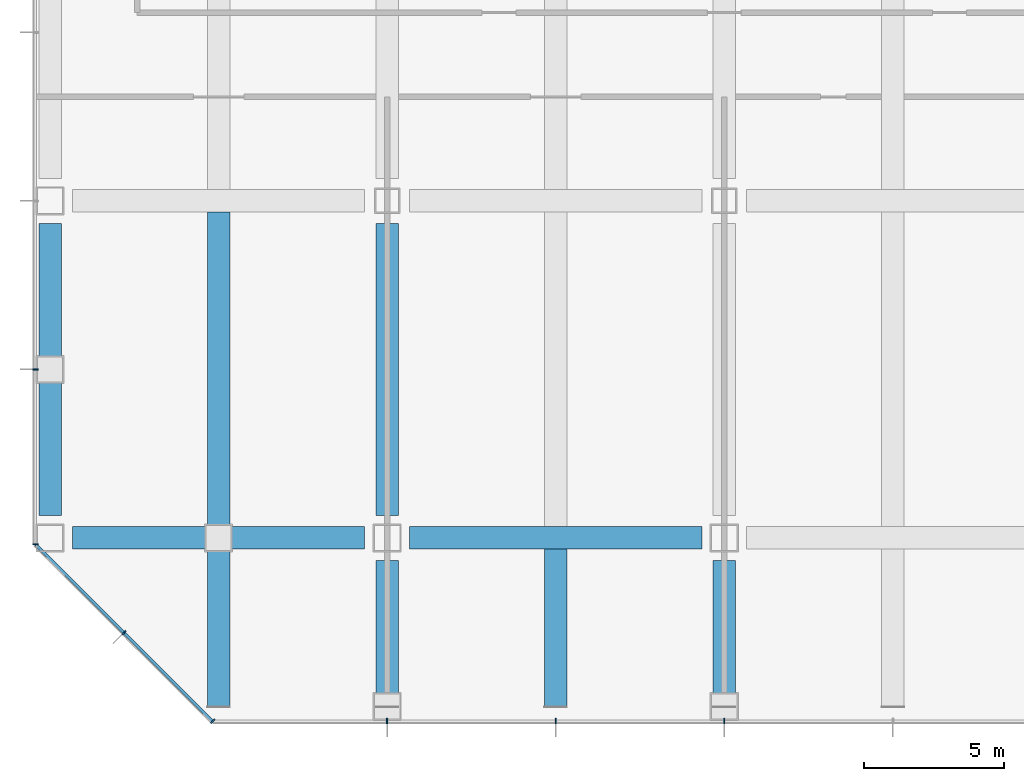
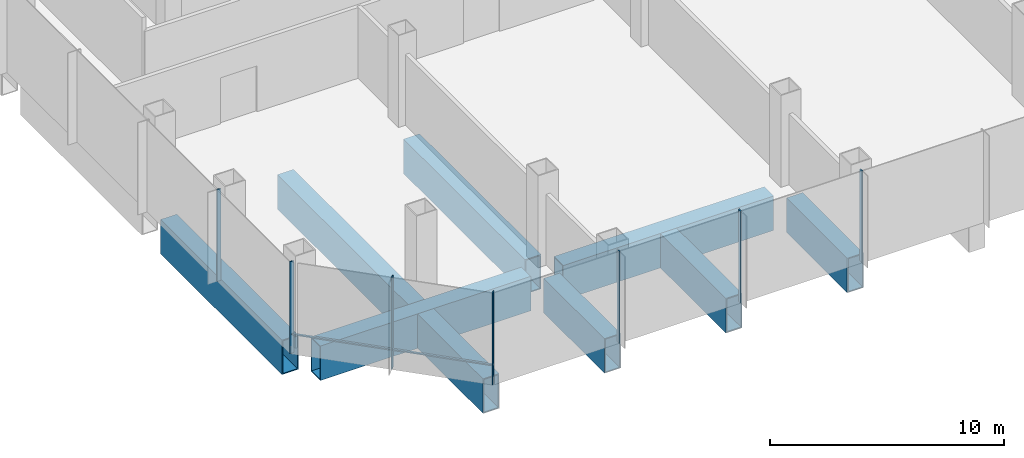
# One storey, part 2 of 34: 9 beams, 8 members, 3 elements without a shape of their own.
"""IFC4 building model written with IfcOpenShell, lengths in metres."""

from ifc_helpers import new_model, si_unit, direction, frame, origin, origin_2d, place, context, subcontext, project, spatial, rectangle, hollow_rectangle, extrude, material, material_profile, profile_set, type_object, element, aggregate, save


model = new_model("IFC4")

# Units and contexts
model_context = context("Model", 3, precision=1e-05, world=origin(), true_north=direction((0.0, 1.0)))
body_context = subcontext(model_context, "Body", "Model", "MODEL_VIEW")
ifc_project = project(units=[si_unit("LENGTHUNIT", "METRE"), si_unit("AREAUNIT", "SQUARE_METRE"), si_unit("VOLUMEUNIT", "CUBIC_METRE"), si_unit("PLANEANGLEUNIT", "RADIAN"), si_unit("MASSUNIT", "GRAM", prefix="KILO")], contexts=[model_context])

# Site, building, storey
site_placement = place(None, origin())
site = spatial("IfcSite", under=ifc_project, at=site_placement, CompositionType="ELEMENT")
building_placement = place(site_placement, origin())
building = spatial("IfcBuilding", under=site, at=building_placement, Name="Sorahane Residences", CompositionType="ELEMENT")
storey_placement = place(building_placement, frame((0.0, 0.0, 20.39990234375)))
storey = spatial("IfcBuildingStorey", under=building, at=storey_placement, Name="L02", CompositionType="ELEMENT", Elevation=20.39990234375)

# Curtain wall, members
ifc_material_1 = material(Name="Dark low-e glass and black anodised aluminium", Category="aluminium")
curtain_wall_type = type_object("IfcCurtainWallType", Name="Curtain wall CW-3 Podium unitised wall", PredefinedType="NOTDEFINED", material=ifc_material_1)
curtain_wall_1_placement = place(storey_placement, origin())
curtain_wall_1 = element("IfcCurtainWall", 1, at=curtain_wall_1_placement, inside=storey, type_object=curtain_wall_type, Name="CW-3 curtain wall L02 S1", PredefinedType="NOTDEFINED")
ifc_material_2 = material(Name="Black anodised aluminium", Category="aluminium")
ifc_material_profile_1 = material_profile(ifc_material_2, rectangle(XDim=0.199951171875, YDim=0.050048828125, at=origin_2d()), Name="Curtain wall mullion CW-3 black anodised aluminium 50x200")
ifc_profile_set_1 = profile_set([ifc_material_profile_1], Name="Black anodised aluminium")
member_type_1 = type_object("IfcMemberType", Name="Curtain wall mullion CW-3 black anodised aluminium 50x200", PredefinedType="MULLION", material=ifc_profile_set_1)
member_1_placement = place(storey_placement, frame((12.0, -6.52001953125, -0.39990234375), z_axis=(0.0, 0.0, 1.0), x_axis=(0.0, -1.0, 0.0)))
member_1 = element("IfcMember", 2, at=member_1_placement, type_object=member_type_1, Name="CW-3 mullion L02 S1.2", PredefinedType="MULLION", context=body_context, shape_type="SweptSolid", body=[
    extrude(rectangle(XDim=0.199951171875, YDim=0.050048828125, at=origin_2d()), origin(), (0.0, 0.0, 1.0), 4.800048828125),
])
member_2_placement = place(storey_placement, frame((18.0, -6.52001953125, -0.39990234375), z_axis=(0.0, 0.0, 1.0), x_axis=(0.0, -1.0, 0.0)))
member_2 = element("IfcMember", 3, at=member_2_placement, type_object=member_type_1, Name="CW-3 mullion L02 S1.3", PredefinedType="MULLION", context=body_context, shape_type="SweptSolid", body=[
    extrude(rectangle(XDim=0.199951171875, YDim=0.050048828125, at=origin_2d()), origin(), (0.0, 0.0, 1.0), 4.800048828125),
])
member_3_placement = place(storey_placement, frame((24.0, -6.52001953125, -0.39990234375), z_axis=(0.0, 0.0, 1.0), x_axis=(0.0, -1.0, 0.0)))
member_3 = element("IfcMember", 4, at=member_3_placement, type_object=member_type_1, Name="CW-3 mullion L02 S1.4", PredefinedType="MULLION", context=body_context, shape_type="SweptSolid", body=[
    extrude(rectangle(XDim=0.199951171875, YDim=0.050048828125, at=origin_2d()), origin(), (0.0, 0.0, 1.0), 4.800048828125),
])
aggregate(curtain_wall_1, [member_1, member_2, member_3])

curtain_wall_2_placement = place(storey_placement, origin())
curtain_wall_2 = element("IfcCurtainWall", 5, at=curtain_wall_2_placement, inside=storey, type_object=curtain_wall_type, Name="CW-3 curtain wall L02 W1", PredefinedType="NOTDEFINED")
member_4_placement = place(storey_placement, frame((-0.52001953125, 6.0, -0.39990234375), z_axis=(0.0, 0.0, 1.0), x_axis=(-1.0, 0.0, 0.0)))
member_4 = element("IfcMember", 6, at=member_4_placement, type_object=member_type_1, Name="CW-3 mullion L02 W1.8", PredefinedType="MULLION", context=body_context, shape_type="SweptSolid", body=[
    extrude(rectangle(XDim=0.199951171875, YDim=0.050048828125, at=origin_2d()), origin(), (0.0, 0.0, 1.0), 4.800048828125),
])
member_5_placement = place(storey_placement, frame((-0.52001953125, -0.2236328125, -0.39990234375), z_axis=(0.0, 0.0, 1.0), x_axis=(-1.0, 0.0, 0.0)))
member_5 = element("IfcMember", 7, at=member_5_placement, type_object=member_type_1, Name="CW-3 mullion L02 W1.9", PredefinedType="MULLION", context=body_context, shape_type="SweptSolid", body=[
    extrude(rectangle(XDim=0.199951171875, YDim=0.050048828125, at=origin_2d()), origin(), (0.0, 0.0, 1.0), 4.800048828125),
])
aggregate(curtain_wall_2, [member_4, member_5])

curtain_wall_3_placement = place(storey_placement, origin())
curtain_wall_3 = element("IfcCurtainWall", 8, at=curtain_wall_3_placement, inside=storey, type_object=curtain_wall_type, Name="CW-3 curtain wall L02 SW1", PredefinedType="NOTDEFINED")
member_6_placement = place(storey_placement, frame((2.63232421875, -3.36767578125, -0.39990234375), z_axis=(0.0, 0.0, 1.0), x_axis=(-0.707106781187, -0.707106781187, 0.0)))
member_6 = element("IfcMember", 9, at=member_6_placement, type_object=member_type_1, Name="CW-3 mullion L02 SW1.2", PredefinedType="MULLION", context=body_context, shape_type="SweptSolid", body=[
    extrude(rectangle(XDim=0.199951171875, YDim=0.050048828125, at=origin_2d()), origin(), (0.0, 0.0, 1.0), 4.800048828125),
])
member_7_placement = place(storey_placement, frame((5.790283203125, -6.525634765625, -0.39990234375), z_axis=(0.0, 0.0, 1.0), x_axis=(-0.707106781187, -0.707106781187, 0.0)))
member_7 = element("IfcMember", 10, at=member_7_placement, type_object=member_type_1, Name="CW-3 mullion L02 SW1.3", PredefinedType="MULLION", context=body_context, shape_type="SweptSolid", body=[
    extrude(rectangle(XDim=0.199951171875, YDim=0.050048828125, at=origin_2d()), origin(), (0.0, 0.0, 1.0), 4.800048828125),
])
ifc_material_3 = material(Name="Black anodised aluminium", Category="aluminium")
ifc_material_profile_2 = material_profile(ifc_material_3, rectangle(XDim=0.10009765625, YDim=0.06005859375, at=origin_2d()), Name="Curtain wall transom CW-3 black anodised aluminium 60x100")
ifc_profile_set_2 = profile_set([ifc_material_profile_2], Name="Black anodised aluminium")
member_type_2 = type_object("IfcMemberType", Name="Curtain wall transom CW-3 black anodised aluminium 60x100", PredefinedType="USERDEFINED", material=ifc_profile_set_2)
member_8_placement = place(storey_placement, frame((-0.51513671875, -0.234375, 0.60009765625), z_axis=(0.707106781187, -0.707106781187, 0.0), x_axis=(0.707106781187, 0.707106781187, 0.0)))
member_8 = element("IfcMember", 11, at=member_8_placement, type_object=member_type_2, Name="CW-3 transom L02 SW1", ObjectType="TRANSOM", PredefinedType="USERDEFINED", context=body_context, shape_type="SweptSolid", body=[
    extrude(rectangle(XDim=0.10009765625, YDim=0.06005859375, at=origin_2d()), origin(), (0.0, 0.0, 1.0), 8.88232421875),
])
aggregate(curtain_wall_3, [member_6, member_7, member_8])

# Beams
ifc_material_4 = material(Name="Steel Q420GJ", Category="steel")
ifc_material_profile_3 = material_profile(ifc_material_4, hollow_rectangle(XDim=0.800048828125, YDim=1.800048828125, WallThickness=0.050048828125, at=origin_2d()), Name="BOX 1800x800x50")
ifc_profile_set_3 = profile_set([ifc_material_profile_3], Name="Steel Q420GJ")
beam_type = type_object("IfcBeamType", Name="Steel transfer girder BOX 1800x800x50 Q420GJ", PredefinedType="BEAM", material=ifc_profile_set_3)
for number, where, z_axis, x_axis, name in (
    (12, (0.800048828125, 0.0, -1.2998046875), (1.0, 0.0, 0.0), (0.0, 1.0, 0.0), "Beam L02 000"),
    (13, (12.800048828125, 0.0, -1.2998046875), (1.0, 0.0, 0.0), (0.0, 1.0, 0.0), "Beam L02 001"),
    (14, (0.0, 0.800048828125, -1.2998046875), (0.0, 1.0, 0.0), (-1.0, 0.0, 0.0), "Beam L02 031"),
    (15, (12.0, 0.800048828125, -1.2998046875), (0.0, 1.0, 0.0), (-1.0, 0.0, 0.0), "Beam L02 035"),
):
    element("IfcBeam", number, at=place(storey_placement, frame(where, z_axis=z_axis, x_axis=x_axis)), inside=storey, type_object=beam_type, Name=name, PredefinedType="BEAM", context=body_context, shape_type="SweptSolid", body=[
        extrude(hollow_rectangle(XDim=0.800048828125, YDim=1.800048828125, WallThickness=0.050048828125, at=origin_2d()), origin(), (0.0, 0.0, 1.0), 10.39990234375),
    ])
for number, where, z_axis, x_axis, name in (
    (16, (12.0, -6.0, -1.2998046875), (0.0, 1.0, 0.0), (-1.0, 0.0, 0.0), "Beam L02 037"),
    (17, (24.0, -6.0, -1.2998046875), (0.0, 1.0, 0.0), (-1.0, 0.0, 0.0), "Beam L02 040"),
):
    element("IfcBeam", number, at=place(storey_placement, frame(where, z_axis=z_axis, x_axis=x_axis)), inside=storey, type_object=beam_type, Name=name, PredefinedType="BEAM", context=body_context, shape_type="SweptSolid", body=[
        extrude(hollow_rectangle(XDim=0.800048828125, YDim=1.800048828125, WallThickness=0.050048828125, at=origin_2d()), origin(), (0.0, 0.0, 1.0), 5.199951171875),
    ])
beam_placement = place(storey_placement, frame((6.0, 0.39990234375, -1.2998046875), z_axis=(0.0, 1.0, 0.0), x_axis=(-1.0, 0.0, 0.0)))
element("IfcBeam", 18, at=beam_placement, inside=storey, type_object=beam_type, Name="Beam L02 055", PredefinedType="BEAM", context=body_context, shape_type="SweptSolid", body=[
    extrude(hollow_rectangle(XDim=0.800048828125, YDim=1.800048828125, WallThickness=0.050048828125, at=origin_2d()), origin(), (0.0, 0.0, 1.0), 11.2001953125),
])
for number, where, z_axis, x_axis, name in (
    (19, (6.0, -6.0, -1.2998046875), (0.0, 1.0, 0.0), (-1.0, 0.0, 0.0), "Beam L02 060"),
    (20, (18.0, -6.0, -1.2998046875), (0.0, 1.0, 0.0), (-1.0, 0.0, 0.0), "Beam L02 066"),
):
    element("IfcBeam", number, at=place(storey_placement, frame(where, z_axis=z_axis, x_axis=x_axis)), inside=storey, type_object=beam_type, Name=name, PredefinedType="BEAM", context=body_context, shape_type="SweptSolid", body=[
        extrude(hollow_rectangle(XDim=0.800048828125, YDim=1.800048828125, WallThickness=0.050048828125, at=origin_2d()), origin(), (0.0, 0.0, 1.0), 5.60009765625),
    ])

save(model, "model.ifc")
